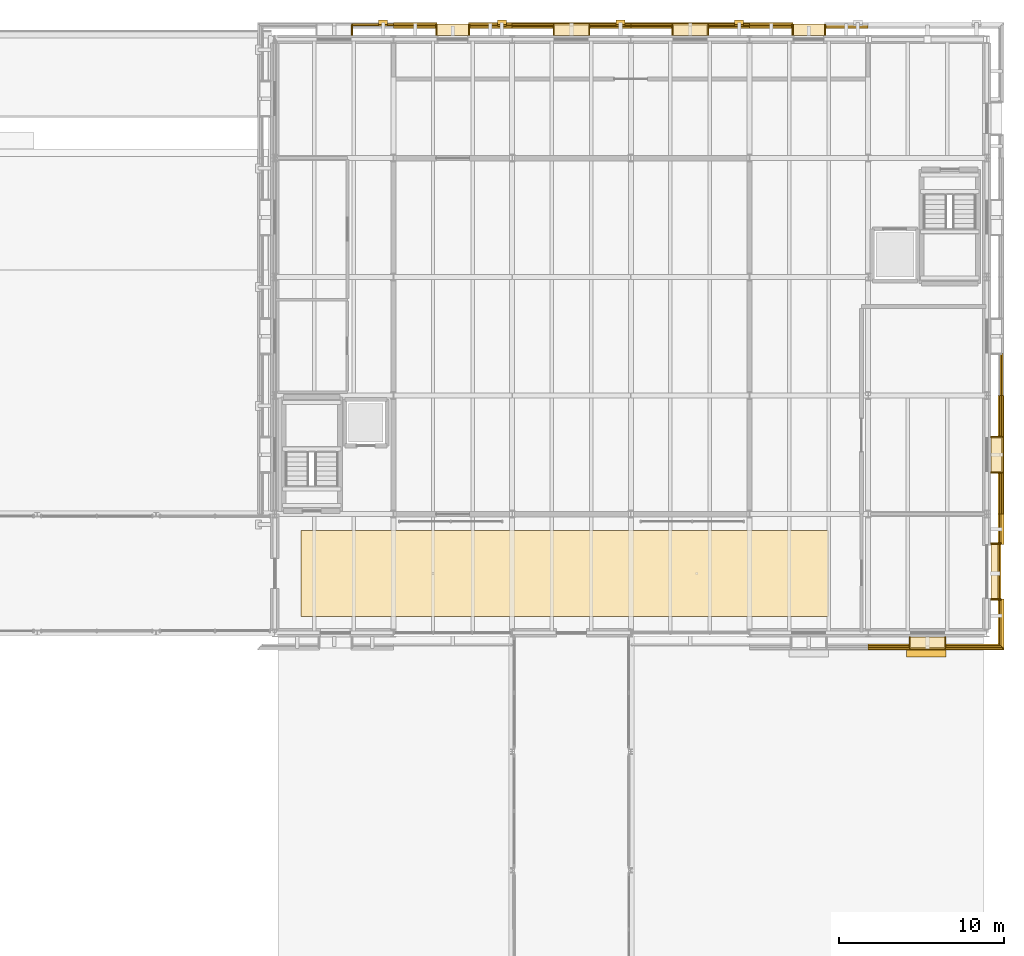
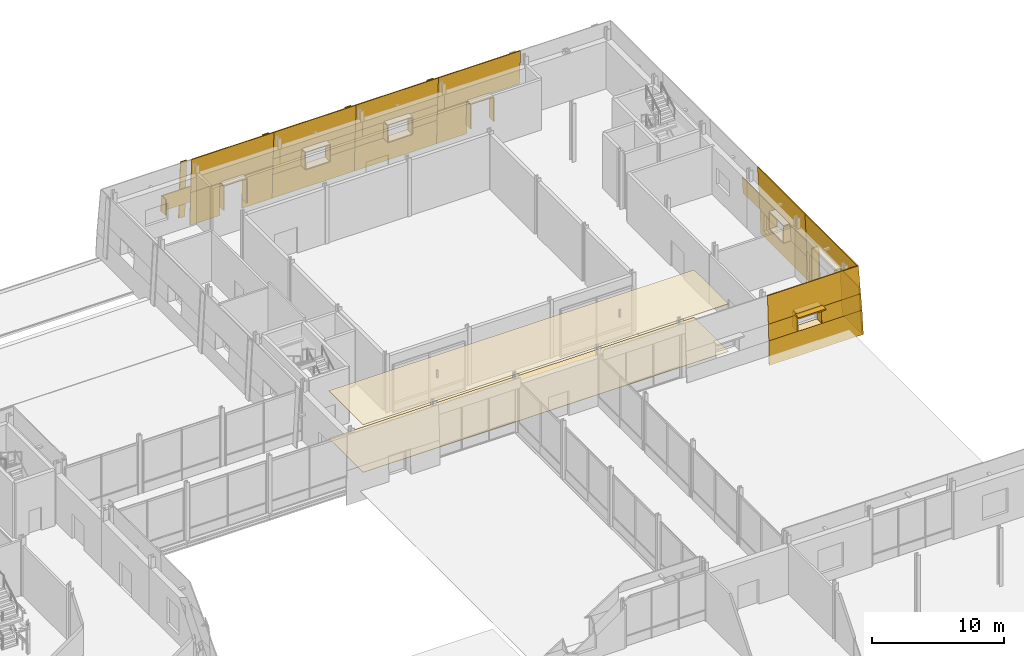
# One storey, part 118 of 120: 58 coverings, 1 shading device.
"""IFC4 building model written with IfcOpenShell, lengths in metres."""

from ifc_helpers import new_model, si_unit, direction, frame, origin, origin_2d, place, context, subcontext, project, spatial, polyline, rectangle, outline, extrude, material, layer, layer_set, type_object, element, save


model = new_model("IFC4")

# Units and contexts
model_context = context("Model", 3, precision=1e-05, world=origin(), true_north=direction((0.0, 1.0)))
body_context = subcontext(model_context, "Body", "Model", "MODEL_VIEW")
ifc_project = project(units=[si_unit("LENGTHUNIT", "METRE"), si_unit("AREAUNIT", "SQUARE_METRE"), si_unit("VOLUMEUNIT", "CUBIC_METRE"), si_unit("PLANEANGLEUNIT", "RADIAN"), si_unit("MASSUNIT", "GRAM", prefix="KILO")], contexts=[model_context])

# Site, building, storey
site_placement = place(None, origin())
site = spatial("IfcSite", under=ifc_project, at=site_placement, CompositionType="ELEMENT")
building_placement = place(site_placement, origin())
building = spatial("IfcBuilding", under=site, at=building_placement, Name="Narikvali Park Central Library", CompositionType="ELEMENT")
storey_placement = place(building_placement, origin())
storey = spatial("IfcBuildingStorey", under=building, at=storey_placement, Name="L00", CompositionType="ELEMENT", Elevation=0.0)

# Coverings
ifc_material_1 = material(Name="Acoustic Micro-Perforated Caucasian Oak")
ifc_layer_1 = layer(ifc_material_1, 0.044921875, Name="Acoustic Micro-Perforated Caucasian Oak")
ifc_layer_set_1 = layer_set([ifc_layer_1], Name="Acoustic Micro-Perforated Caucasian Oak")
covering_type_1 = type_object("IfcCoveringType", Name="Acoustic Perforated Timber Suspended Ceiling", PredefinedType="CEILING", material=ifc_layer_set_1)
covering_1_placement = place(storey_placement, frame((0.0, 0.0, 4.39501953125)))
element("IfcCovering", 1, at=covering_1_placement, inside=storey, type_object=covering_type_1, Name="V3 L00 Acoustic Suspended Ceiling 04", PredefinedType="CEILING", context=body_context, shape_type="SweptSolid", body=[
    extrude(outline(polyline([(124.0, 80.199951171875), (156.0, 80.199951171875), (156.0, 85.39990234375), (124.0, 85.39990234375), (124.0, 80.199951171875)])), origin(), (0.0, 0.0, 1.0), 0.044921875),
])
ifc_material_2 = material(Name="White Honed Limestone Cladding", Category="masonry")
ifc_layer_2 = layer(ifc_material_2, 0.0849609375, Name="White Honed Limestone Cladding")
ifc_layer_set_2 = layer_set([ifc_layer_2], Name="White Honed Limestone Cladding")
covering_type_2 = type_object("IfcCoveringType", Name="Battered White Limestone Facade Cladding Panel", PredefinedType="CLADDING", material=ifc_layer_set_2)
covering_2_placement = place(storey_placement, frame((158.39990234375, 78.159912109375, -0.8798828125), z_axis=(0.0, -0.999499829874, 0.03162420088), x_axis=(1.0, 0.0, 0.0)))
element("IfcCovering", 2, at=covering_2_placement, inside=storey, type_object=covering_type_2, Name="V3 L00 S Battered Limestone Spandrel B06", PredefinedType="CLADDING", context=body_context, shape_type="SweptSolid", body=[
    extrude(outline(polyline([(0.0, 0.0), (8.239990234375, 0.0), (8.169677734375, 2.2310963965151203), (0.0, 2.2310963965151203), (0.0, 0.0)])), origin(), (0.0, 0.0, -1.0), 0.0849609375),
])
covering_3_placement = place(storey_placement, frame((158.39990234375, 78.30859375, 2.85009765625), z_axis=(0.0, -0.998646209492, 0.052016807542), x_axis=(1.0, 0.0, 0.0)))
element("IfcCovering", 3, at=covering_3_placement, inside=storey, type_object=covering_type_2, Name="V3 L00 S Battered Limestone Lintel B06", PredefinedType="CLADDING", context=body_context, shape_type="SweptSolid", body=[
    extrude(outline(polyline([(0.0, 0.0), (8.091552734375, 0.0), (7.958740234375, 2.55326126836899), (0.0, 2.55326126836899), (0.0, 0.0)])), origin(), (0.0, 0.0, -1.0), 0.0849609375),
])
covering_4_placement = place(storey_placement, frame((158.39990234375, 78.23046875, 1.35009765625), z_axis=(0.0, -0.998646416446, 0.05201283419), x_axis=(1.0, 0.0, 0.0)))
element("IfcCovering", 4, at=covering_4_placement, inside=storey, type_object=covering_type_2, Name="V3 L00 S Battered Limestone Jamb Pier L B06", PredefinedType="CLADDING", context=body_context, shape_type="SweptSolid", body=[
    extrude(outline(polyline([(0.0, 0.0), (2.56005859375, 0.0), (2.56005859375, 1.5020331273394072), (0.0, 1.5020331273394072), (0.0, 0.0)])), origin(), (0.0, 0.0, -1.0), 0.0849609375),
])
covering_5_placement = place(storey_placement, frame((163.0400390625, 78.23046875, 1.35009765625), z_axis=(0.0, -0.998646416446, 0.05201283419), x_axis=(1.0, 0.0, 0.0)))
element("IfcCovering", 5, at=covering_5_placement, inside=storey, type_object=covering_type_2, Name="V3 L00 S Battered Limestone Jamb Pier R B06", PredefinedType="CLADDING", context=body_context, shape_type="SweptSolid", body=[
    extrude(outline(polyline([(0.0, 0.0), (3.529541015625, 0.0), (3.451416015625, 1.5020331273394072), (0.0, 1.5020331273394072), (0.0, 0.0)])), origin(), (0.0, 0.0, -1.0), 0.0849609375),
])
covering_6_placement = place(storey_placement, frame((166.639892578125, 78.2451171875, -0.8798828125), z_axis=(0.999140689721, 0.0, 0.041447341825), x_axis=(0.0, 1.0, 0.0)))
element("IfcCovering", 6, at=covering_6_placement, inside=storey, type_object=covering_type_2, Name="V3 L00 E Battered Portal Pier L B01", PredefinedType="CLADDING", context=body_context, shape_type="SweptSolid", body=[
    extrude(outline(polyline([(0.0, 0.0), (3.00927734375, 0.0), (3.00927734375, 4.323539480668549), (0.17919921875, 4.323539480668549), (0.0, 0.0)])), origin(), (0.0, 0.0, -1.0), 0.0849609375),
])
covering_7_placement = place(storey_placement, frame((166.639892578125, 84.574462890625, -0.8798828125), z_axis=(0.999140689721, 0.0, 0.041447341825), x_axis=(0.0, 1.0, 0.0)))
element("IfcCovering", 7, at=covering_7_placement, inside=storey, type_object=covering_type_2, Name="V3 L00 E Battered Portal Pier R B01", PredefinedType="CLADDING", context=body_context, shape_type="SweptSolid", body=[
    extrude(outline(polyline([(0.0, 0.0), (1.825439453125, 0.0), (1.825439453125, 4.323539480668548), (0.0, 4.323539480668548), (0.0, 0.0)])), origin(), (0.0, 0.0, -1.0), 0.0849609375),
])
covering_8_placement = place(storey_placement, frame((166.460693359375, 78.42431640625, 3.43994140625), z_axis=(0.998647224001, 0.0, 0.05199732681), x_axis=(0.0, 1.0, 0.0)))
element("IfcCovering", 8, at=covering_8_placement, inside=storey, type_object=covering_type_2, Name="V3 L00 E Battered Portal Header B01", PredefinedType="CLADDING", context=body_context, shape_type="SweptSolid", body=[
    extrude(outline(polyline([(0.0, 0.0), (7.9755859375, 0.0), (7.9755859375, 1.9626159172083606), (0.10205078125, 1.9626159172083606), (0.0, 0.0)])), origin(), (0.0, 0.0, -1.0), 0.0849609375),
])
covering_9_placement = place(storey_placement, frame((166.639892578125, 86.39990234375, -0.8798828125), z_axis=(0.999503282697, 0.0, 0.031514883448), x_axis=(0.0, 1.0, 0.0)))
element("IfcCovering", 9, at=covering_9_placement, inside=storey, type_object=covering_type_2, Name="V3 L00 E Battered Limestone Spandrel B02", PredefinedType="CLADDING", context=body_context, shape_type="SweptSolid", body=[
    extrude(outline(polyline([(0.0, 0.0), (7.2001953125, 0.0), (7.2001953125, 2.2310886891073425), (0.0, 2.2310886891073425), (0.0, 0.0)])), origin(), (0.0, 0.0, -1.0), 0.0849609375),
])
covering_10_placement = place(storey_placement, frame((166.491455078125, 86.39990234375, 2.85009765625), z_axis=(0.998646209492, 0.0, 0.052016807542), x_axis=(0.0, 1.0, 0.0)))
element("IfcCovering", 10, at=covering_10_placement, inside=storey, type_object=covering_type_2, Name="V3 L00 E Battered Limestone Lintel B02", PredefinedType="CLADDING", context=body_context, shape_type="SweptSolid", body=[
    extrude(outline(polyline([(0.0, 0.0), (7.2001953125, 0.0), (7.2001953125, 2.55326126836899), (0.0, 2.55326126836899), (0.0, 0.0)])), origin(), (0.0, 0.0, -1.0), 0.0849609375),
])
for number, where, z_axis, x_axis, name in (
    (11, (166.569580078125, 86.39990234375, 1.35009765625), (0.998646416446, 0.0, 0.05201283419), (0.0, 1.0, 0.0), "V3 L00 E Battered Limestone Jamb Pier L B02"),
    (12, (166.569580078125, 91.0400390625, 1.35009765625), (0.998646416446, 0.0, 0.05201283419), (0.0, 1.0, 0.0), "V3 L00 E Battered Limestone Jamb Pier R B02"),
):
    element("IfcCovering", number, at=place(storey_placement, frame(where, z_axis=z_axis, x_axis=x_axis)), inside=storey, type_object=covering_type_2, Name=name, PredefinedType="CLADDING", context=body_context, shape_type="SweptSolid", body=[
        extrude(outline(polyline([(0.0, 0.0), (2.56005859375, 0.0), (2.56005859375, 1.5020331273394072), (0.0, 1.5020331273394072), (0.0, 0.0)])), origin(), (0.0, 0.0, -1.0), 0.0849609375),
    ])
covering_11_placement = place(storey_placement, frame((166.569580078125, 93.60009765625, 1.35009765625), z_axis=(0.998646416446, 0.0, 0.05201283419), x_axis=(0.0, 1.0, 0.0)))
element("IfcCovering", 13, at=covering_11_placement, inside=storey, type_object=covering_type_2, Name="V3 L00 E Battered Limestone Jamb Pier L B03", PredefinedType="CLADDING", context=body_context, shape_type="SweptSolid", body=[
    extrude(outline(polyline([(0.0, 0.0), (2.559814453125, 0.0), (2.559814453125, 1.5020331273394074), (0.0, 1.5020331273394074), (0.0, 0.0)])), origin(), (0.0, 0.0, -1.0), 0.0849609375),
])
covering_12_placement = place(storey_placement, frame((153.840087890625, 116.239990234375, -0.8798828125), z_axis=(0.0, 0.999301161828, 0.037378977647), x_axis=(-1.0, 0.0, 0.0)))
element("IfcCovering", 14, at=covering_12_placement, inside=storey, type_object=covering_type_2, Name="V3 L00 N Battered Portal Pier R B02", PredefinedType="CLADDING", context=body_context, shape_type="SweptSolid", body=[
    extrude(outline(polyline([(0.0, 0.0), (2.64013671875, 0.0), (2.64013671875, 3.1220548579859955), (0.0, 3.1220548579859955), (0.0, 0.0)])), origin(), (0.0, 0.0, -1.0), 0.0849609375),
])
covering_13_placement = place(storey_placement, frame((158.39990234375, 116.123291015625, 2.239990234375), z_axis=(0.0, 0.998642865618, 0.052080965332), x_axis=(-1.0, 0.0, 0.0)))
element("IfcCovering", 15, at=covering_13_placement, inside=storey, type_object=covering_type_2, Name="V3 L00 N Battered Portal Header B02", PredefinedType="CLADDING", context=body_context, shape_type="SweptSolid", body=[
    extrude(outline(polyline([(0.0, 0.0), (7.199951171875, 0.0), (7.199951171875, 3.1642063626208943), (0.0, 3.1642063626208943), (0.0, 0.0)])), origin(), (0.0, 0.0, -1.0), 0.0849609375),
])
covering_14_placement = place(storey_placement, frame((150.85009765625, 116.3798828125, 0.0), z_axis=(0.0, 0.998646367586, 0.052013772288), x_axis=(-1.0, 0.0, 0.0)))
element("IfcCovering", 16, at=covering_14_placement, inside=storey, type_object=covering_type_2, Name="V3 L00 N Classical Limestone Pilaster B03", PredefinedType="CLADDING", context=body_context, shape_type="SweptSolid", body=[
    extrude(outline(polyline([(0.0, 0.0), (0.550048828125, 0.0), (0.550048828125, 5.407221734360146), (0.0, 5.407221734360146), (0.0, 0.0)])), origin(), (0.0, 0.0, -1.0), 0.0849609375),
])
covering_15_placement = place(storey_placement, frame((151.199951171875, 116.239990234375, -0.8798828125), z_axis=(0.0, 0.999503282697, 0.031514883448), x_axis=(-1.0, 0.0, 0.0)))
element("IfcCovering", 17, at=covering_15_placement, inside=storey, type_object=covering_type_2, Name="V3 L00 N Battered Limestone Spandrel B03", PredefinedType="CLADDING", context=body_context, shape_type="SweptSolid", body=[
    extrude(outline(polyline([(0.0, 0.0), (7.199951171875, 0.0), (7.199951171875, 2.2310886891073425), (0.0, 2.2310886891073425), (0.0, 0.0)])), origin(), (0.0, 0.0, -1.0), 0.0849609375),
])
covering_16_placement = place(storey_placement, frame((151.199951171875, 116.091552734375, 2.85009765625), z_axis=(0.0, 0.998641237896, 0.05211216724), x_axis=(-1.0, 0.0, 0.0)))
element("IfcCovering", 18, at=covering_16_placement, inside=storey, type_object=covering_type_2, Name="V3 L00 N Battered Limestone Lintel B03", PredefinedType="CLADDING", context=body_context, shape_type="SweptSolid", body=[
    extrude(outline(polyline([(0.0, 0.0), (7.199951171875, 0.0), (7.199951171875, 2.553273979425511), (0.0, 2.553273979425511), (0.0, 0.0)])), origin(), (0.0, 0.0, -1.0), 0.0849609375),
])
for number, where, z_axis, x_axis, name in (
    (19, (151.199951171875, 116.169677734375, 1.35009765625), (0.0, 0.998646416446, 0.05201283419), (-1.0, 0.0, 0.0), "V3 L00 N Battered Limestone Jamb Pier L B03"),
    (20, (146.56005859375, 116.169677734375, 1.35009765625), (0.0, 0.998646416446, 0.05201283419), (-1.0, 0.0, 0.0), "V3 L00 N Battered Limestone Jamb Pier R B03"),
):
    element("IfcCovering", number, at=place(storey_placement, frame(where, z_axis=z_axis, x_axis=x_axis)), inside=storey, type_object=covering_type_2, Name=name, PredefinedType="CLADDING", context=body_context, shape_type="SweptSolid", body=[
        extrude(outline(polyline([(0.0, 0.0), (2.56005859375, 0.0), (2.56005859375, 1.5020331273394072), (0.0, 1.5020331273394072), (0.0, 0.0)])), origin(), (0.0, 0.0, -1.0), 0.0849609375),
    ])
covering_17_placement = place(storey_placement, frame((143.64990234375, 116.3798828125, 0.0), z_axis=(0.0, 0.998646367586, 0.052013772288), x_axis=(-1.0, 0.0, 0.0)))
element("IfcCovering", 21, at=covering_17_placement, inside=storey, type_object=covering_type_2, Name="V3 L00 N Classical Limestone Pilaster B04", PredefinedType="CLADDING", context=body_context, shape_type="SweptSolid", body=[
    extrude(outline(polyline([(0.0, 0.0), (0.5498046875, 0.0), (0.5498046875, 5.407221734360145), (0.0, 5.407221734360145), (0.0, 0.0)])), origin(), (0.0, 0.0, -1.0), 0.0849609375),
])
covering_18_placement = place(storey_placement, frame((144.0, 116.239990234375, -0.8798828125), z_axis=(0.0, 0.999503282697, 0.031514883448), x_axis=(-1.0, 0.0, 0.0)))
element("IfcCovering", 22, at=covering_18_placement, inside=storey, type_object=covering_type_2, Name="V3 L00 N Battered Limestone Spandrel B04", PredefinedType="CLADDING", context=body_context, shape_type="SweptSolid", body=[
    extrude(outline(polyline([(0.0, 0.0), (7.199951171875, 0.0), (7.199951171875, 2.2310886891073425), (0.0, 2.2310886891073425), (0.0, 0.0)])), origin(), (0.0, 0.0, -1.0), 0.0849609375),
])
covering_19_placement = place(storey_placement, frame((144.0, 116.091552734375, 2.85009765625), z_axis=(0.0, 0.998641237896, 0.05211216724), x_axis=(-1.0, 0.0, 0.0)))
element("IfcCovering", 23, at=covering_19_placement, inside=storey, type_object=covering_type_2, Name="V3 L00 N Battered Limestone Lintel B04", PredefinedType="CLADDING", context=body_context, shape_type="SweptSolid", body=[
    extrude(outline(polyline([(0.0, 0.0), (7.199951171875, 0.0), (7.199951171875, 2.553273979425511), (0.0, 2.553273979425511), (0.0, 0.0)])), origin(), (0.0, 0.0, -1.0), 0.0849609375),
])
for number, where, z_axis, x_axis, name in (
    (24, (144.0, 116.169677734375, 1.35009765625), (0.0, 0.998646416446, 0.05201283419), (-1.0, 0.0, 0.0), "V3 L00 N Battered Limestone Jamb Pier L B04"),
    (25, (139.360107421875, 116.169677734375, 1.35009765625), (0.0, 0.998646416446, 0.05201283419), (-1.0, 0.0, 0.0), "V3 L00 N Battered Limestone Jamb Pier R B04"),
):
    element("IfcCovering", number, at=place(storey_placement, frame(where, z_axis=z_axis, x_axis=x_axis)), inside=storey, type_object=covering_type_2, Name=name, PredefinedType="CLADDING", context=body_context, shape_type="SweptSolid", body=[
        extrude(outline(polyline([(0.0, 0.0), (2.56005859375, 0.0), (2.56005859375, 1.5020331273394072), (0.0, 1.5020331273394072), (0.0, 0.0)])), origin(), (0.0, 0.0, -1.0), 0.0849609375),
    ])
covering_20_placement = place(storey_placement, frame((136.449951171875, 116.3798828125, 0.0), z_axis=(0.0, 0.998646367586, 0.052013772288), x_axis=(-1.0, 0.0, 0.0)))
element("IfcCovering", 26, at=covering_20_placement, inside=storey, type_object=covering_type_2, Name="V3 L00 N Classical Limestone Pilaster B05", PredefinedType="CLADDING", context=body_context, shape_type="SweptSolid", body=[
    extrude(outline(polyline([(0.0, 0.0), (0.550048828125, 0.0), (0.550048828125, 5.407221734360146), (0.0, 5.407221734360146), (0.0, 0.0)])), origin(), (0.0, 0.0, -1.0), 0.0849609375),
])
covering_21_placement = place(storey_placement, frame((136.800048828125, 116.239990234375, -0.8798828125), z_axis=(0.0, 0.999301161828, 0.037378977647), x_axis=(-1.0, 0.0, 0.0)))
element("IfcCovering", 27, at=covering_21_placement, inside=storey, type_object=covering_type_2, Name="V3 L00 N Battered Portal Pier L B05", PredefinedType="CLADDING", context=body_context, shape_type="SweptSolid", body=[
    extrude(outline(polyline([(0.0, 0.0), (2.64013671875, 0.0), (2.64013671875, 3.1220548579859955), (0.0, 3.1220548579859955), (0.0, 0.0)])), origin(), (0.0, 0.0, -1.0), 0.0849609375),
])
covering_22_placement = place(storey_placement, frame((132.239990234375, 116.239990234375, -0.8798828125), z_axis=(0.0, 0.999301161828, 0.037378977647), x_axis=(-1.0, 0.0, 0.0)))
element("IfcCovering", 28, at=covering_22_placement, inside=storey, type_object=covering_type_2, Name="V3 L00 N Battered Portal Pier R B05", PredefinedType="CLADDING", context=body_context, shape_type="SweptSolid", body=[
    extrude(outline(polyline([(0.0, 0.0), (2.639892578125, 0.0), (2.639892578125, 3.122054857985996), (0.0, 3.122054857985996), (0.0, 0.0)])), origin(), (0.0, 0.0, -1.0), 0.0849609375),
])
covering_23_placement = place(storey_placement, frame((136.800048828125, 116.123291015625, 2.239990234375), z_axis=(0.0, 0.998642865618, 0.052080965332), x_axis=(-1.0, 0.0, 0.0)))
element("IfcCovering", 29, at=covering_23_placement, inside=storey, type_object=covering_type_2, Name="V3 L00 N Battered Portal Header B05", PredefinedType="CLADDING", context=body_context, shape_type="SweptSolid", body=[
    extrude(outline(polyline([(0.0, 0.0), (7.199951171875, 0.0), (7.199951171875, 3.1642063626208943), (0.0, 3.1642063626208943), (0.0, 0.0)])), origin(), (0.0, 0.0, -1.0), 0.0849609375),
])
covering_24_placement = place(storey_placement, frame((129.25, 116.3798828125, 0.0), z_axis=(0.0, 0.998646367586, 0.052013772288), x_axis=(-1.0, 0.0, 0.0)))
element("IfcCovering", 30, at=covering_24_placement, inside=storey, type_object=covering_type_2, Name="V3 L00 N Classical Limestone Pilaster B06", PredefinedType="CLADDING", context=body_context, shape_type="SweptSolid", body=[
    extrude(outline(polyline([(0.0, 0.0), (0.550048828125, 0.0), (0.550048828125, 5.407221734360146), (0.0, 5.407221734360146), (0.0, 0.0)])), origin(), (0.0, 0.0, -1.0), 0.0849609375),
])
covering_25_placement = place(storey_placement, frame((129.60009765625, 116.169677734375, 1.35009765625), z_axis=(0.0, 0.998646416446, 0.05201283419), x_axis=(-1.0, 0.0, 0.0)))
element("IfcCovering", 31, at=covering_25_placement, inside=storey, type_object=covering_type_2, Name="V3 L00 N Battered Limestone Jamb Pier L B06", PredefinedType="CLADDING", context=body_context, shape_type="SweptSolid", body=[
    extrude(outline(polyline([(0.0, 0.0), (2.56005859375, 0.0), (2.56005859375, 1.5020331273394072), (0.0, 1.5020331273394072), (0.0, 0.0)])), origin(), (0.0, 0.0, -1.0), 0.0849609375),
])

# Shading device
ifc_material_3 = material(Name="Anodised Bronze Aluminium", Category="aluminium")
ifc_layer_3 = layer(ifc_material_3, 0.1201171875, Name="Anodised Bronze Aluminium")
ifc_layer_set_3 = layer_set([ifc_layer_3], Name="Anodised Bronze Aluminium")
shading_device_type = type_object("IfcShadingDeviceType", Name="Bronze Classical Cornice Sun Brise-Soleil 650", PredefinedType="SHUTTER", material=ifc_layer_set_3)
shading_device_placement = place(storey_placement, frame((161.923095703125, 78.068603515625, 2.849853515625), z_axis=(0.0, 0.0, 1.0), x_axis=(1.0, 0.0, 0.0)))
element("IfcShadingDevice", 32, at=shading_device_placement, inside=storey, type_object=shading_device_type, Name="V3 L00 Classical Bronze Brise-Soleil 06", PredefinedType="SHUTTER", context=body_context, shape_type="SweptSolid", body=[
    extrude(rectangle(XDim=2.39990234375, YDim=0.64990234375, at=origin_2d()), origin(), (0.0, 0.0, 1.0), 0.1201171875),
])

# Coverings
ifc_layer_4 = layer(ifc_material_2, 0.080078125, Name="White Honed Limestone Cladding")
ifc_layer_set_4 = layer_set([ifc_layer_4], Name="White Honed Limestone Cladding")
covering_type_3 = type_object("IfcCoveringType", Name="Deep Carved White Limestone Window Reveal", PredefinedType="CLADDING", material=ifc_layer_set_4)
covering_26_placement = place(storey_placement, frame((0.0, 0.0, 2.85009765625)))
element("IfcCovering", 33, at=covering_26_placement, inside=storey, type_object=covering_type_3, Name="Deep Stone Reveal Head V3-RVL-L00-S-B06", PredefinedType="CLADDING", context=body_context, shape_type="SweptSolid", body=[
    extrude(outline(polyline([(160.919921875, 78.955078125), (163.080078125, 78.955078125), (163.080078125, 78.30859375), (160.919921875, 78.30859375), (160.919921875, 78.955078125)])), origin(), (0.0, 0.0, 1.0), 0.079833984375),
])
covering_27_placement = place(storey_placement, frame((0.0, 0.0, 1.27001953125)))
element("IfcCovering", 34, at=covering_27_placement, inside=storey, type_object=covering_type_3, Name="Deep Stone Reveal Sill V3-RVL-L00-S-B06", PredefinedType="CLADDING", context=body_context, shape_type="SweptSolid", body=[
    extrude(outline(polyline([(160.919921875, 78.955078125), (163.080078125, 78.955078125), (163.080078125, 78.23046875), (160.919921875, 78.23046875), (160.919921875, 78.955078125)])), origin(), (0.0, 0.0, 1.0), 0.080078125),
])
covering_28_placement = place(storey_placement, frame((0.0, 0.0, 1.35009765625)))
element("IfcCovering", 35, at=covering_28_placement, inside=storey, type_object=covering_type_3, Name="Deep Stone Reveal Jamb L V3-RVL-L00-S-B06", PredefinedType="CLADDING", context=body_context, shape_type="SweptSolid", body=[
    extrude(outline(polyline([(160.8798828125, 78.955078125), (160.9599609375, 78.955078125), (160.9599609375, 78.30859375), (160.8798828125, 78.30859375), (160.8798828125, 78.955078125)])), origin(), (0.0, 0.0, 1.0), 1.5),
])
covering_29_placement = place(storey_placement, frame((0.0, 0.0, 1.35009765625)))
element("IfcCovering", 36, at=covering_29_placement, inside=storey, type_object=covering_type_3, Name="Deep Stone Reveal Jamb R V3-RVL-L00-S-B06", PredefinedType="CLADDING", context=body_context, shape_type="SweptSolid", body=[
    extrude(outline(polyline([(163.0400390625, 78.955078125), (163.1201171875, 78.955078125), (163.1201171875, 78.30859375), (163.0400390625, 78.30859375), (163.0400390625, 78.955078125)])), origin(), (0.0, 0.0, 1.0), 1.5),
])
covering_30_placement = place(storey_placement, frame((0.0, 0.0, 3.43994140625)))
element("IfcCovering", 37, at=covering_30_placement, inside=storey, type_object=covering_type_3, Name="Deep Stone Reveal Head V3-RVL-L00-E-B01", PredefinedType="CLADDING", context=body_context, shape_type="SweptSolid", body=[
    extrude(outline(polyline([(165.844970703125, 81.214599609375), (165.844970703125, 84.614501953125), (166.460693359375, 84.614501953125), (166.460693359375, 81.214599609375), (165.844970703125, 81.214599609375)])), origin(), (0.0, 0.0, 1.0), 0.080078125),
])
covering_31_placement = place(storey_placement, frame((0.0, 0.0, 0.02001953125)))
element("IfcCovering", 38, at=covering_31_placement, inside=storey, type_object=covering_type_3, Name="Deep Stone Reveal Jamb L V3-RVL-L00-E-B01", PredefinedType="CLADDING", context=body_context, shape_type="SweptSolid", body=[
    extrude(outline(polyline([(165.844970703125, 81.174560546875), (165.844970703125, 81.25439453125), (166.460693359375, 81.25439453125), (166.460693359375, 81.174560546875), (165.844970703125, 81.174560546875)])), origin(), (0.0, 0.0, 1.0), 3.419921875),
])
covering_32_placement = place(storey_placement, frame((0.0, 0.0, 0.02001953125)))
element("IfcCovering", 39, at=covering_32_placement, inside=storey, type_object=covering_type_3, Name="Deep Stone Reveal Jamb R V3-RVL-L00-E-B01", PredefinedType="CLADDING", context=body_context, shape_type="SweptSolid", body=[
    extrude(outline(polyline([(165.844970703125, 84.574462890625), (165.844970703125, 84.654541015625), (166.460693359375, 84.654541015625), (166.460693359375, 84.574462890625), (165.844970703125, 84.574462890625)])), origin(), (0.0, 0.0, 1.0), 3.419921875),
])
covering_33_placement = place(storey_placement, frame((0.0, 0.0, 2.85009765625)))
element("IfcCovering", 40, at=covering_33_placement, inside=storey, type_object=covering_type_3, Name="Deep Stone Reveal Head V3-RVL-L00-E-B02", PredefinedType="CLADDING", context=body_context, shape_type="SweptSolid", body=[
    extrude(outline(polyline([(165.844970703125, 88.919921875), (165.844970703125, 91.080078125), (166.491455078125, 91.080078125), (166.491455078125, 88.919921875), (165.844970703125, 88.919921875)])), origin(), (0.0, 0.0, 1.0), 0.079833984375),
])
covering_34_placement = place(storey_placement, frame((0.0, 0.0, 1.27001953125)))
element("IfcCovering", 41, at=covering_34_placement, inside=storey, type_object=covering_type_3, Name="Deep Stone Reveal Sill V3-RVL-L00-E-B02", PredefinedType="CLADDING", context=body_context, shape_type="SweptSolid", body=[
    extrude(outline(polyline([(165.844970703125, 88.919921875), (165.844970703125, 91.080078125), (166.569580078125, 91.080078125), (166.569580078125, 88.919921875), (165.844970703125, 88.919921875)])), origin(), (0.0, 0.0, 1.0), 0.080078125),
])
covering_35_placement = place(storey_placement, frame((0.0, 0.0, 1.35009765625)))
element("IfcCovering", 42, at=covering_35_placement, inside=storey, type_object=covering_type_3, Name="Deep Stone Reveal Jamb L V3-RVL-L00-E-B02", PredefinedType="CLADDING", context=body_context, shape_type="SweptSolid", body=[
    extrude(outline(polyline([(165.844970703125, 88.8798828125), (165.844970703125, 88.9599609375), (166.491455078125, 88.9599609375), (166.491455078125, 88.8798828125), (165.844970703125, 88.8798828125)])), origin(), (0.0, 0.0, 1.0), 1.5),
])
covering_36_placement = place(storey_placement, frame((0.0, 0.0, 1.35009765625)))
element("IfcCovering", 43, at=covering_36_placement, inside=storey, type_object=covering_type_3, Name="Deep Stone Reveal Jamb R V3-RVL-L00-E-B02", PredefinedType="CLADDING", context=body_context, shape_type="SweptSolid", body=[
    extrude(outline(polyline([(165.844970703125, 91.0400390625), (165.844970703125, 91.1201171875), (166.491455078125, 91.1201171875), (166.491455078125, 91.0400390625), (165.844970703125, 91.0400390625)])), origin(), (0.0, 0.0, 1.0), 1.5),
])
covering_37_placement = place(storey_placement, frame((0.0, 0.0, 2.239990234375)))
element("IfcCovering", 44, at=covering_37_placement, inside=storey, type_object=covering_type_3, Name="Deep Stone Reveal Head V3-RVL-L00-N-B02", PredefinedType="CLADDING", context=body_context, shape_type="SweptSolid", body=[
    extrude(outline(polyline([(155.800048828125, 115.445068359375), (153.800048828125, 115.445068359375), (153.800048828125, 116.123291015625), (155.800048828125, 116.123291015625), (155.800048828125, 115.445068359375)])), origin(), (0.0, 0.0, 1.0), 0.080078125),
])
covering_38_placement = place(storey_placement, frame((0.0, 0.0, 0.02001953125)))
element("IfcCovering", 45, at=covering_38_placement, inside=storey, type_object=covering_type_3, Name="Deep Stone Reveal Jamb L V3-RVL-L00-N-B02", PredefinedType="CLADDING", context=body_context, shape_type="SweptSolid", body=[
    extrude(outline(polyline([(155.840087890625, 115.445068359375), (155.760009765625, 115.445068359375), (155.760009765625, 116.123291015625), (155.840087890625, 116.123291015625), (155.840087890625, 115.445068359375)])), origin(), (0.0, 0.0, 1.0), 2.219970703125),
])
covering_39_placement = place(storey_placement, frame((0.0, 0.0, 0.02001953125)))
element("IfcCovering", 46, at=covering_39_placement, inside=storey, type_object=covering_type_3, Name="Deep Stone Reveal Jamb R V3-RVL-L00-N-B02", PredefinedType="CLADDING", context=body_context, shape_type="SweptSolid", body=[
    extrude(outline(polyline([(153.840087890625, 115.445068359375), (153.760009765625, 115.445068359375), (153.760009765625, 116.123291015625), (153.840087890625, 116.123291015625), (153.840087890625, 115.445068359375)])), origin(), (0.0, 0.0, 1.0), 2.219970703125),
])
covering_40_placement = place(storey_placement, frame((0.0, 0.0, 2.85009765625)))
element("IfcCovering", 47, at=covering_40_placement, inside=storey, type_object=covering_type_3, Name="Deep Stone Reveal Head V3-RVL-L00-N-B03", PredefinedType="CLADDING", context=body_context, shape_type="SweptSolid", body=[
    extrude(outline(polyline([(148.679931640625, 115.445068359375), (146.52001953125, 115.445068359375), (146.52001953125, 116.091552734375), (148.679931640625, 116.091552734375), (148.679931640625, 115.445068359375)])), origin(), (0.0, 0.0, 1.0), 0.079833984375),
])
covering_41_placement = place(storey_placement, frame((0.0, 0.0, 1.27001953125)))
element("IfcCovering", 48, at=covering_41_placement, inside=storey, type_object=covering_type_3, Name="Deep Stone Reveal Sill V3-RVL-L00-N-B03", PredefinedType="CLADDING", context=body_context, shape_type="SweptSolid", body=[
    extrude(outline(polyline([(148.679931640625, 115.445068359375), (146.52001953125, 115.445068359375), (146.52001953125, 116.169677734375), (148.679931640625, 116.169677734375), (148.679931640625, 115.445068359375)])), origin(), (0.0, 0.0, 1.0), 0.080078125),
])
covering_42_placement = place(storey_placement, frame((0.0, 0.0, 1.35009765625)))
element("IfcCovering", 49, at=covering_42_placement, inside=storey, type_object=covering_type_3, Name="Deep Stone Reveal Jamb L V3-RVL-L00-N-B03", PredefinedType="CLADDING", context=body_context, shape_type="SweptSolid", body=[
    extrude(outline(polyline([(148.719970703125, 115.445068359375), (148.639892578125, 115.445068359375), (148.639892578125, 116.091552734375), (148.719970703125, 116.091552734375), (148.719970703125, 115.445068359375)])), origin(), (0.0, 0.0, 1.0), 1.5),
])
covering_43_placement = place(storey_placement, frame((0.0, 0.0, 1.35009765625)))
element("IfcCovering", 50, at=covering_43_placement, inside=storey, type_object=covering_type_3, Name="Deep Stone Reveal Jamb R V3-RVL-L00-N-B03", PredefinedType="CLADDING", context=body_context, shape_type="SweptSolid", body=[
    extrude(outline(polyline([(146.56005859375, 115.445068359375), (146.47998046875, 115.445068359375), (146.47998046875, 116.091552734375), (146.56005859375, 116.091552734375), (146.56005859375, 115.445068359375)])), origin(), (0.0, 0.0, 1.0), 1.5),
])
covering_44_placement = place(storey_placement, frame((0.0, 0.0, 2.85009765625)))
element("IfcCovering", 51, at=covering_44_placement, inside=storey, type_object=covering_type_3, Name="Deep Stone Reveal Head V3-RVL-L00-N-B04", PredefinedType="CLADDING", context=body_context, shape_type="SweptSolid", body=[
    extrude(outline(polyline([(141.47998046875, 115.445068359375), (139.320068359375, 115.445068359375), (139.320068359375, 116.091552734375), (141.47998046875, 116.091552734375), (141.47998046875, 115.445068359375)])), origin(), (0.0, 0.0, 1.0), 0.079833984375),
])
covering_45_placement = place(storey_placement, frame((0.0, 0.0, 1.27001953125)))
element("IfcCovering", 52, at=covering_45_placement, inside=storey, type_object=covering_type_3, Name="Deep Stone Reveal Sill V3-RVL-L00-N-B04", PredefinedType="CLADDING", context=body_context, shape_type="SweptSolid", body=[
    extrude(outline(polyline([(141.47998046875, 115.445068359375), (139.320068359375, 115.445068359375), (139.320068359375, 116.169677734375), (141.47998046875, 116.169677734375), (141.47998046875, 115.445068359375)])), origin(), (0.0, 0.0, 1.0), 0.080078125),
])
covering_46_placement = place(storey_placement, frame((0.0, 0.0, 1.35009765625)))
element("IfcCovering", 53, at=covering_46_placement, inside=storey, type_object=covering_type_3, Name="Deep Stone Reveal Jamb L V3-RVL-L00-N-B04", PredefinedType="CLADDING", context=body_context, shape_type="SweptSolid", body=[
    extrude(outline(polyline([(141.52001953125, 115.445068359375), (141.43994140625, 115.445068359375), (141.43994140625, 116.091552734375), (141.52001953125, 116.091552734375), (141.52001953125, 115.445068359375)])), origin(), (0.0, 0.0, 1.0), 1.5),
])
covering_47_placement = place(storey_placement, frame((0.0, 0.0, 1.35009765625)))
element("IfcCovering", 54, at=covering_47_placement, inside=storey, type_object=covering_type_3, Name="Deep Stone Reveal Jamb R V3-RVL-L00-N-B04", PredefinedType="CLADDING", context=body_context, shape_type="SweptSolid", body=[
    extrude(outline(polyline([(139.360107421875, 115.445068359375), (139.280029296875, 115.445068359375), (139.280029296875, 116.091552734375), (139.360107421875, 116.091552734375), (139.360107421875, 115.445068359375)])), origin(), (0.0, 0.0, 1.0), 1.5),
])
covering_48_placement = place(storey_placement, frame((0.0, 0.0, 2.239990234375)))
element("IfcCovering", 55, at=covering_48_placement, inside=storey, type_object=covering_type_3, Name="Deep Stone Reveal Head V3-RVL-L00-N-B05", PredefinedType="CLADDING", context=body_context, shape_type="SweptSolid", body=[
    extrude(outline(polyline([(134.199951171875, 115.445068359375), (132.199951171875, 115.445068359375), (132.199951171875, 116.123291015625), (134.199951171875, 116.123291015625), (134.199951171875, 115.445068359375)])), origin(), (0.0, 0.0, 1.0), 0.080078125),
])
covering_49_placement = place(storey_placement, frame((0.0, 0.0, 0.02001953125)))
element("IfcCovering", 56, at=covering_49_placement, inside=storey, type_object=covering_type_3, Name="Deep Stone Reveal Jamb L V3-RVL-L00-N-B05", PredefinedType="CLADDING", context=body_context, shape_type="SweptSolid", body=[
    extrude(outline(polyline([(134.239990234375, 115.445068359375), (134.159912109375, 115.445068359375), (134.159912109375, 116.123291015625), (134.239990234375, 116.123291015625), (134.239990234375, 115.445068359375)])), origin(), (0.0, 0.0, 1.0), 2.219970703125),
])
covering_50_placement = place(storey_placement, frame((0.0, 0.0, 0.02001953125)))
element("IfcCovering", 57, at=covering_50_placement, inside=storey, type_object=covering_type_3, Name="Deep Stone Reveal Jamb R V3-RVL-L00-N-B05", PredefinedType="CLADDING", context=body_context, shape_type="SweptSolid", body=[
    extrude(outline(polyline([(132.239990234375, 115.445068359375), (132.159912109375, 115.445068359375), (132.159912109375, 116.123291015625), (132.239990234375, 116.123291015625), (132.239990234375, 115.445068359375)])), origin(), (0.0, 0.0, 1.0), 2.219970703125),
])
covering_51_placement = place(storey_placement, frame((0.0, 0.0, 1.35009765625)))
element("IfcCovering", 58, at=covering_51_placement, inside=storey, type_object=covering_type_3, Name="Deep Stone Reveal Jamb L V3-RVL-L00-N-B06", PredefinedType="CLADDING", context=body_context, shape_type="SweptSolid", body=[
    extrude(outline(polyline([(127.1201171875, 115.445068359375), (127.0400390625, 115.445068359375), (127.0400390625, 116.091552734375), (127.1201171875, 116.091552734375), (127.1201171875, 115.445068359375)])), origin(), (0.0, 0.0, 1.0), 1.5),
])
ifc_material_4 = material(Name="Polished Georgian Basalt Terrazzo", Category="masonry")
ifc_layer_5 = layer(ifc_material_4, 0.0400390625, Name="Polished Georgian Basalt Terrazzo")
ifc_layer_set_5 = layer_set([ifc_layer_5], Name="Polished Georgian Basalt Terrazzo")
covering_type_4 = type_object("IfcCoveringType", Name="Polished Basalt Terrazzo Floor Finish", PredefinedType="FLOORING", material=ifc_layer_set_5)
covering_52_placement = place(storey_placement, origin())
element("IfcCovering", 59, at=covering_52_placement, inside=storey, type_object=covering_type_4, Name="V3 L00 Basalt Terrazzo Flooring 04", PredefinedType="FLOORING", context=body_context, shape_type="SweptSolid", body=[
    extrude(outline(polyline([(124.0, 80.199951171875), (156.0, 80.199951171875), (156.0, 85.39990234375), (124.0, 85.39990234375), (124.0, 80.199951171875)])), origin(), (0.0, 0.0, 1.0), 0.0400390625),
])

save(model, "model.ifc")
